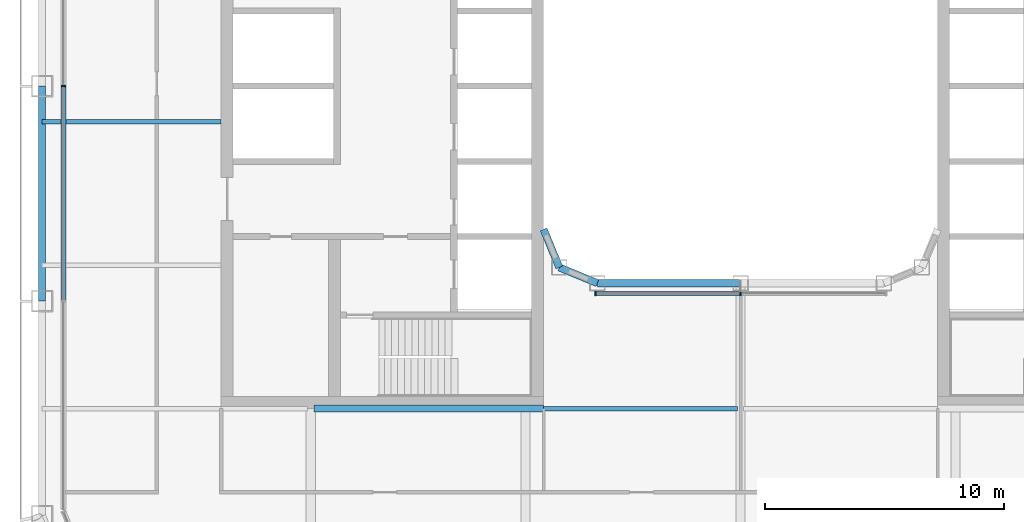
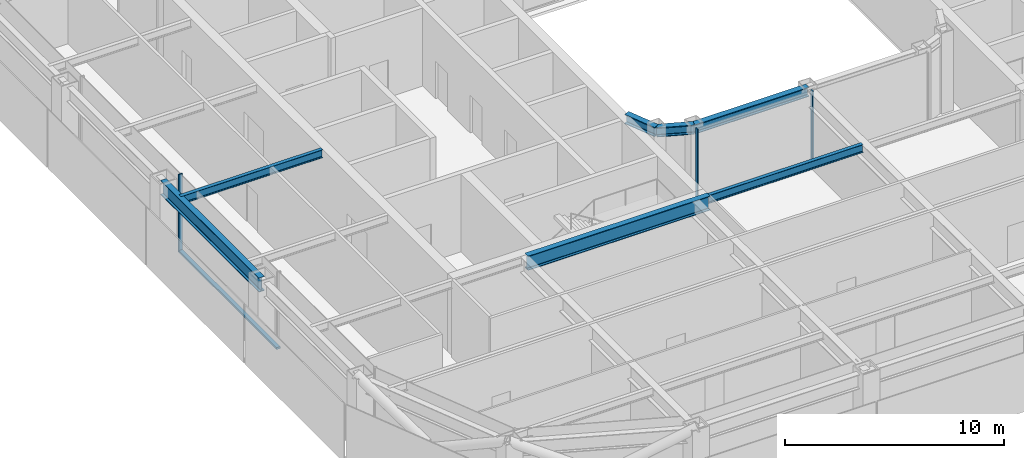
# One storey, part 3 of 23: 7 beams, 5 members, 2 elements without a shape of their own.
"""IFC4 building model written with IfcOpenShell, lengths in metres."""

from ifc_helpers import new_model, si_unit, direction, frame, origin, origin_2d, place, context, subcontext, project, spatial, rectangle, i_section, extrude, material, layer, layer_set, material_profile, profile_set, type_object, element, aggregate, save


model = new_model("IFC4")

# Units and contexts
model_context = context("Model", 3, precision=1e-05, world=origin(), true_north=direction((0.0, 1.0)))
body_context = subcontext(model_context, "Body", "Model", "MODEL_VIEW")
ifc_project = project(units=[si_unit("LENGTHUNIT", "METRE"), si_unit("AREAUNIT", "SQUARE_METRE"), si_unit("VOLUMEUNIT", "CUBIC_METRE"), si_unit("PLANEANGLEUNIT", "RADIAN"), si_unit("MASSUNIT", "GRAM", prefix="KILO")], contexts=[model_context])

# Site, building, storey
site_placement = place(None, origin())
site = spatial("IfcSite", under=ifc_project, at=site_placement, CompositionType="ELEMENT")
building_placement = place(site_placement, origin())
building = spatial("IfcBuilding", under=site, at=building_placement, Name="Siwar Civic Tower", CompositionType="ELEMENT")
storey_placement = place(building_placement, frame((0.0, 0.0, 145.199951171875)))
storey = spatial("IfcBuildingStorey", under=building, at=storey_placement, Name="L31", CompositionType="ELEMENT", Elevation=145.199951171875)

# Curtain wall, member
ifc_material_1 = material(Name="Aluminium and glass", Category="aluminium")
ifc_layer_1 = layer(ifc_material_1, 0.199951171875)
ifc_layer_set_1 = layer_set([ifc_layer_1], Name="Aluminium and glass")
curtain_wall_type_1 = type_object("IfcCurtainWallType", Name="ENV-CW-B", PredefinedType="NOTDEFINED", material=ifc_layer_set_1)
curtain_wall_1_placement = place(storey_placement, origin())
curtain_wall_1 = element("IfcCurtainWall", 1, at=curtain_wall_1_placement, inside=storey, type_object=curtain_wall_type_1, Name="Curtain wall B W", PredefinedType="NOTDEFINED")
ifc_material_2 = material(Name="Aluminium 6063-T6", Category="aluminium")
ifc_material_profile_1 = material_profile(ifc_material_2, rectangle(XDim=0.199951171875, YDim=0.06494140625, at=origin_2d()), Name="AL 200x65")
ifc_profile_set_1 = profile_set([ifc_material_profile_1], Name="Aluminium 6063-T6")
member_type_1 = type_object("IfcMemberType", Name="ENV-MULLION-B", PredefinedType="MULLION", material=ifc_profile_set_1)
member_1_placement = place(storey_placement, frame((-28.35009765625, 0.0, 0.0), z_axis=(0.0, 0.0, 1.0), x_axis=(1.0, 0.0, 0.0)))
member_1 = element("IfcMember", 2, at=member_1_placement, type_object=member_type_1, Name="Mullion B W 3", PredefinedType="MULLION", context=body_context, shape_type="SweptSolid", body=[
    extrude(rectangle(XDim=0.199951171875, YDim=0.06494140625, at=origin_2d()), origin(), (0.0, 0.0, 1.0), 4.35009765625),
])

# Curtain wall, members
ifc_material_3 = material(Name="Aluminium and glass", Category="aluminium")
ifc_layer_2 = layer(ifc_material_3, 0.179931640625)
ifc_layer_set_2 = layer_set([ifc_layer_2], Name="Aluminium and glass")
curtain_wall_type_2 = type_object("IfcCurtainWallType", Name="ENV-CW-W", PredefinedType="NOTDEFINED", material=ifc_layer_set_2)
curtain_wall_2_placement = place(storey_placement, origin())
curtain_wall_2 = element("IfcCurtainWall", 3, at=curtain_wall_2_placement, inside=storey, type_object=curtain_wall_type_2, Name="Curtain wall W WS", PredefinedType="NOTDEFINED")
ifc_material_4 = material(Name="Aluminium 6063-T6", Category="aluminium")
ifc_material_profile_2 = material_profile(ifc_material_4, rectangle(XDim=0.179931640625, YDim=0.06005859375, at=origin_2d()), Name="AL 180x60")
ifc_profile_set_2 = profile_set([ifc_material_profile_2], Name="Aluminium 6063-T6")
member_type_2 = type_object("IfcMemberType", Name="ENV-MULLION-W", PredefinedType="MULLION", material=ifc_profile_set_2)
member_2_placement = place(storey_placement, frame((-6.08642578125, -8.68505859375, 0.0), z_axis=(0.0, 0.0, 1.0), x_axis=(0.0, 1.0, 0.0)))
member_2 = element("IfcMember", 4, at=member_2_placement, type_object=member_type_2, Name="Mullion W WS 1", PredefinedType="MULLION", context=body_context, shape_type="SweptSolid", body=[
    extrude(rectangle(XDim=0.179931640625, YDim=0.06005859375, at=origin_2d()), origin(), (0.0, 0.0, 1.0), 4.35009765625),
])
member_3_placement = place(storey_placement, frame((0.0, -8.68505859375, 0.0), z_axis=(0.0, 0.0, 1.0), x_axis=(0.0, 1.0, 0.0)))
member_3 = element("IfcMember", 5, at=member_3_placement, type_object=member_type_2, Name="Mullion W WS 2", PredefinedType="MULLION", context=body_context, shape_type="SweptSolid", body=[
    extrude(rectangle(XDim=0.179931640625, YDim=0.06005859375, at=origin_2d()), origin(), (0.0, 0.0, 1.0), 4.35009765625),
])

# Member
ifc_material_5 = material(Name="Aluminium 6063-T6", Category="aluminium")
ifc_material_profile_3 = material_profile(ifc_material_5, rectangle(XDim=0.199951171875, YDim=0.110107421875, at=origin_2d()), Name="AL 200x110")
ifc_profile_set_3 = profile_set([ifc_material_profile_3], Name="Aluminium 6063-T6")
member_type_3 = type_object("IfcMemberType", Name="ENV-TRANSOM-B", PredefinedType="USERDEFINED", material=ifc_profile_set_3)
member_4_placement = place(storey_placement, frame((-28.35009765625, -0.032470703125, 0.054931640625), z_axis=(0.0, -1.0, 0.0), x_axis=(1.0, 0.0, 0.0)))
member_4 = element("IfcMember", 6, at=member_4_placement, type_object=member_type_3, Name="Transom B W 3", ObjectType="TRANSOM", PredefinedType="USERDEFINED", context=body_context, shape_type="SweptSolid", body=[
    extrude(rectangle(XDim=0.199951171875, YDim=0.110107421875, at=origin_2d()), origin(), (0.0, 0.0, 1.0), 8.93505859375),
])

aggregate(curtain_wall_1, [member_1, member_4])

ifc_material_6 = material(Name="Aluminium 6063-T6", Category="aluminium")
ifc_material_profile_4 = material_profile(ifc_material_6, rectangle(XDim=0.179931640625, YDim=0.10009765625, at=origin_2d()), Name="AL 180x100")
ifc_profile_set_4 = profile_set([ifc_material_profile_4], Name="Aluminium 6063-T6")
member_type_4 = type_object("IfcMemberType", Name="ENV-TRANSOM-W", PredefinedType="USERDEFINED", material=ifc_profile_set_4)
member_5_placement = place(storey_placement, frame((-6.056640625, -8.68505859375, 0.050048828125), z_axis=(1.0, 0.0, 0.0), x_axis=(0.0, 1.0, 0.0)))
member_5 = element("IfcMember", 7, at=member_5_placement, type_object=member_type_4, Name="Transom W WS 1", ObjectType="TRANSOM", PredefinedType="USERDEFINED", context=body_context, shape_type="SweptSolid", body=[
    extrude(rectangle(XDim=0.179931640625, YDim=0.10009765625, at=origin_2d()), origin(), (0.0, 0.0, 1.0), 6.026611328125),
])

aggregate(curtain_wall_2, [member_2, member_3, member_5])

# Beams
ifc_material_7 = material(Name="Steel S355", Category="steel")
ifc_material_profile_5 = material_profile(ifc_material_7, i_section(OverallWidth=0.18994140625, OverallDepth=0.449951171875, WebThickness=0.009521484375, FlangeThickness=0.0146484375, FilletRadius=0.02099609375, at=origin_2d()), Name="IPE450")
ifc_profile_set_5 = profile_set([ifc_material_profile_5], Name="Steel S355")
beam_type_1 = type_object("IfcBeamType", Name="STR-FB-IPE450", PredefinedType="JOIST", material=ifc_profile_set_5)
beam_1_placement = place(storey_placement, frame((-8.25, -13.5, 4.125), z_axis=(1.0, 0.0, 0.0), x_axis=(0.0, 1.0, 0.0)))
element("IfcBeam", 8, at=beam_1_placement, inside=storey, type_object=beam_type_1, Name="L31/bm/F016", PredefinedType="JOIST", context=body_context, shape_type="SweptSolid", body=[
    extrude(i_section(OverallWidth=0.18994140625, OverallDepth=0.449951171875, WebThickness=0.009521484375, FlangeThickness=0.0146484375, FilletRadius=0.02099609375, at=origin_2d()), origin(), (0.0, 0.0, 1.0), 8.1201171875),
])
beam_2_placement = place(storey_placement, frame((-29.25, -1.5, 4.125), z_axis=(1.0, 0.0, 0.0), x_axis=(0.0, 1.0, 0.0)))
element("IfcBeam", 9, at=beam_2_placement, inside=storey, type_object=beam_type_1, Name="L31/bm/F023", PredefinedType="JOIST", context=body_context, shape_type="SweptSolid", body=[
    extrude(i_section(OverallWidth=0.18994140625, OverallDepth=0.449951171875, WebThickness=0.009521484375, FlangeThickness=0.0146484375, FilletRadius=0.02099609375, at=origin_2d()), origin(), (0.0, 0.0, 1.0), 7.5),
])
ifc_material_8 = material(Name="Steel S355", Category="steel")
ifc_material_profile_6 = material_profile(ifc_material_8, i_section(OverallWidth=0.300048828125, OverallDepth=0.800048828125, WebThickness=0.017578125, FlangeThickness=0.032958984375, FilletRadius=0.030029296875, at=origin_2d()), Name="HEB800")
ifc_profile_set_6 = profile_set([ifc_material_profile_6], Name="Steel S355")
beam_type_2 = type_object("IfcBeamType", Name="STR-PG-HEB800", PredefinedType="BEAM", material=ifc_profile_set_6)
beam_3_placement = place(storey_placement, frame((-17.8701171875, -13.5, 3.949951171875), z_axis=(1.0, 0.0, 0.0), x_axis=(0.0, 1.0, 0.0)))
element("IfcBeam", 10, at=beam_3_placement, inside=storey, type_object=beam_type_2, Name="L31/bm/F015", PredefinedType="BEAM", context=body_context, shape_type="SweptSolid", body=[
    extrude(i_section(OverallWidth=0.300048828125, OverallDepth=0.800048828125, WebThickness=0.017578125, FlangeThickness=0.032958984375, FilletRadius=0.030029296875, at=origin_2d()), origin(), (0.0, 0.0, 1.0), 9.6201171875),
])
ifc_material_9 = material(Name="Steel S355", Category="steel")
ifc_material_profile_7 = material_profile(ifc_material_9, i_section(OverallWidth=0.305908203125, OverallDepth=0.52392578125, WebThickness=0.02099609375, FlangeThickness=0.0400390625, FilletRadius=0.027099609375, at=origin_2d()), Name="HEM500")
ifc_profile_set_7 = profile_set([ifc_material_profile_7], Name="Steel S355")
beam_type_3 = type_object("IfcBeamType", Name="STR-RB-HEM500", PredefinedType="BEAM", material=ifc_profile_set_7)
beam_4_placement = place(storey_placement, frame((-7.591064453125, -7.591064453125, 4.088134765625), z_axis=(0.923901072997, -0.382631424892, 0.0), x_axis=(0.382631424892, 0.923901072997, 0.0)))
element("IfcBeam", 11, at=beam_4_placement, inside=storey, type_object=beam_type_3, Name="L31/bm/RS0", PredefinedType="BEAM", context=body_context, shape_type="SweptSolid", body=[
    extrude(i_section(OverallWidth=0.305908203125, OverallDepth=0.52392578125, WebThickness=0.02099609375, FlangeThickness=0.0400390625, FilletRadius=0.027099609375, at=origin_2d()), origin(), (0.0, 0.0, 1.0), 1.72216796875),
])
beam_5_placement = place(storey_placement, frame((-6.0, -8.25, 4.088134765625), z_axis=(1.0, 0.0, 0.0), x_axis=(0.0, 1.0, 0.0)))
element("IfcBeam", 12, at=beam_5_placement, inside=storey, type_object=beam_type_3, Name="L31/bm/RS1", PredefinedType="BEAM", context=body_context, shape_type="SweptSolid", body=[
    extrude(i_section(OverallWidth=0.305908203125, OverallDepth=0.52392578125, WebThickness=0.02099609375, FlangeThickness=0.0400390625, FilletRadius=0.027099609375, at=origin_2d()), origin(), (0.0, 0.0, 1.0), 6.0),
])
beam_6_placement = place(storey_placement, frame((-7.591064453125, -7.591064453125, 4.088134765625), z_axis=(-0.382631424892, 0.923901072997, 0.0), x_axis=(-0.923901072997, -0.382631424892, 0.0)))
element("IfcBeam", 13, at=beam_6_placement, inside=storey, type_object=beam_type_3, Name="L31/bm/RSEW", PredefinedType="BEAM", context=body_context, shape_type="SweptSolid", body=[
    extrude(i_section(OverallWidth=0.305908203125, OverallDepth=0.52392578125, WebThickness=0.02099609375, FlangeThickness=0.0400390625, FilletRadius=0.027099609375, at=origin_2d()), origin(), (0.0, 0.0, 1.0), 1.72216796875),
])
ifc_material_10 = material(Name="Steel S355", Category="steel")
ifc_material_profile_8 = material_profile(ifc_material_10, i_section(OverallWidth=0.300048828125, OverallDepth=0.800048828125, WebThickness=0.017578125, FlangeThickness=0.032958984375, FilletRadius=0.030029296875, at=origin_2d()), Name="HEB800")
ifc_profile_set_8 = profile_set([ifc_material_profile_8], Name="Steel S355")
beam_type_4 = type_object("IfcBeamType", Name="STR-SB-HEB800", PredefinedType="BEAM", material=ifc_profile_set_8)
beam_7_placement = place(storey_placement, frame((-29.25, 0.0, 3.949951171875), z_axis=(0.0, -1.0, 0.0), x_axis=(1.0, 0.0, 0.0)))
element("IfcBeam", 14, at=beam_7_placement, inside=storey, type_object=beam_type_4, Name="L31/bm/SW-2", PredefinedType="BEAM", context=body_context, shape_type="SweptSolid", body=[
    extrude(i_section(OverallWidth=0.300048828125, OverallDepth=0.800048828125, WebThickness=0.017578125, FlangeThickness=0.032958984375, FilletRadius=0.030029296875, at=origin_2d()), origin(), (0.0, 0.0, 1.0), 9.0),
])

save(model, "model.ifc")
